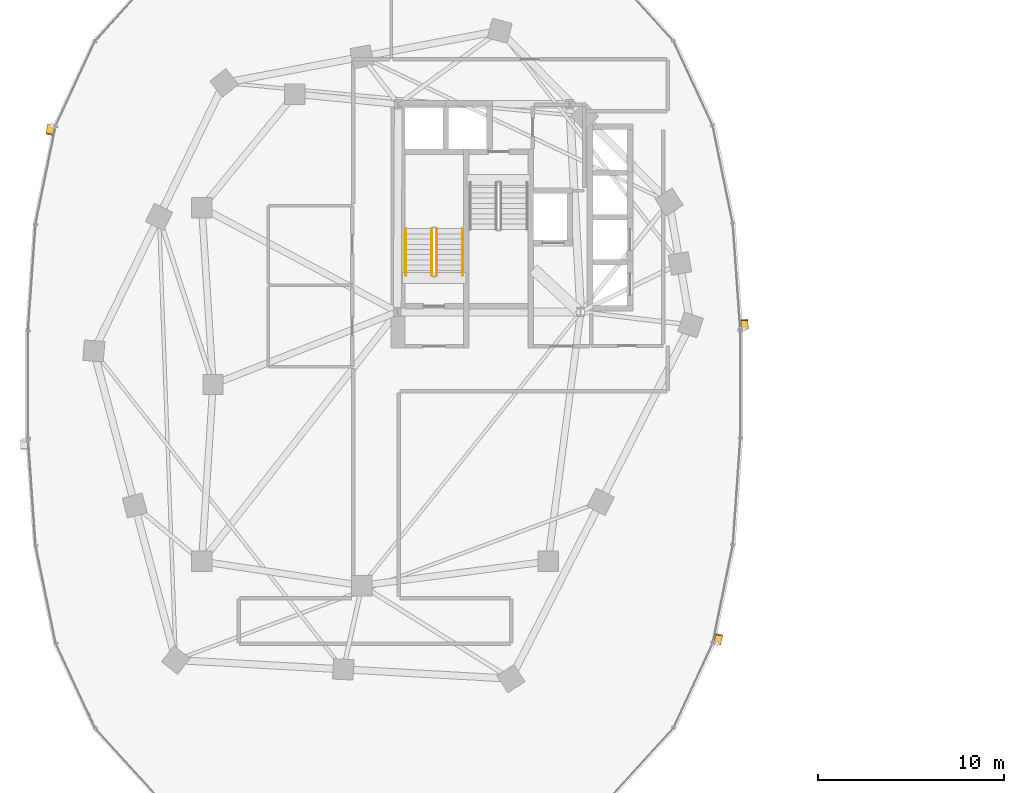
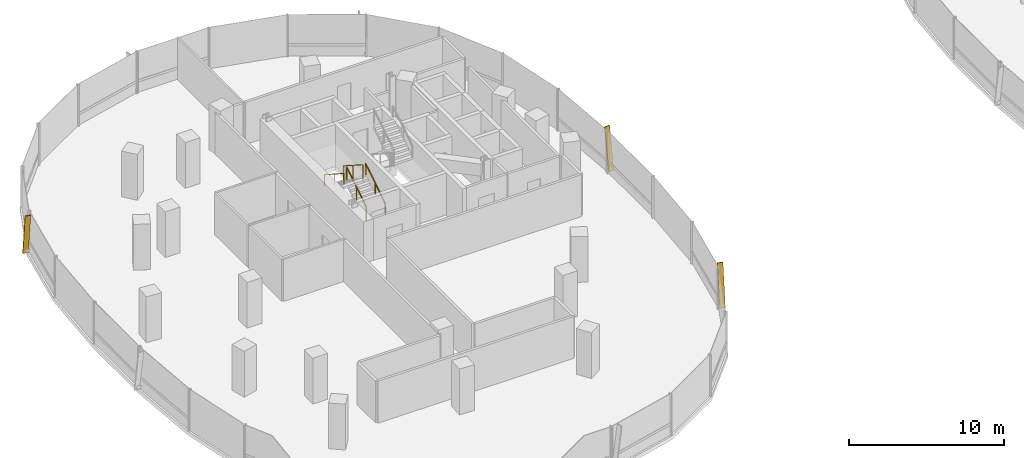
# One storey, part 17 of 20: 4 railings, 3 shading devices.
"""IFC4 building model written with IfcOpenShell, lengths in metres."""

from ifc_helpers import new_model, si_unit, direction, frame, origin, origin_2d, place, context, subcontext, project, spatial, rectangle, extrude, material, material_profile, profile_set, type_object, element, save


model = new_model("IFC4")

# Units and contexts
model_context = context("Model", 3, precision=1e-05, world=origin(), true_north=direction((0.0, 1.0)))
body_context = subcontext(model_context, "Body", "Model", "MODEL_VIEW")
ifc_project = project(units=[si_unit("LENGTHUNIT", "METRE"), si_unit("AREAUNIT", "SQUARE_METRE"), si_unit("VOLUMEUNIT", "CUBIC_METRE"), si_unit("PLANEANGLEUNIT", "RADIAN"), si_unit("MASSUNIT", "GRAM", prefix="KILO"), si_unit("THERMODYNAMICTEMPERATUREUNIT", "KELVIN"), si_unit("POWERUNIT", "WATT")], contexts=[model_context])

# Site, building, storey
site_placement = place(None, origin())
site = spatial("IfcSite", under=ifc_project, at=site_placement, CompositionType="ELEMENT")
building_placement = place(site_placement, origin())
building = spatial("IfcBuilding", under=site, at=building_placement, Name="Cundina Bronze Exchange", CompositionType="ELEMENT")
storey_placement = place(building_placement, frame((0.0, 0.0, 125.0)))
storey = spatial("IfcBuildingStorey", under=building, at=storey_placement, Name="L32", CompositionType="ELEMENT", Elevation=125.0)

# Railings
ifc_material_1 = material(Name="Steel ASTM A36 Painted", Category="steel")
railing_type_1 = type_object("IfcRailingType", Name="RLG-HND-900", PredefinedType="HANDRAIL", material=ifc_material_1)
railing_1_placement = place(storey_placement, frame((-27.7900390625, 5.85009765625, 0.179931640625)))
element("IfcRailing", 1, at=railing_1_placement, inside=storey, type_object=railing_type_1, Name="L32 ST-W1 stair handrail 1", PredefinedType="HANDRAIL", context=body_context, shape_type="SweptSolid", body=[
    extrude(rectangle(XDim=0.048095703125, YDim=0.048095703125, at=origin_2d()), frame((0.0, 0.0, 0.8759765625), z_axis=(0.0, 0.841162588446, 0.540782303519), x_axis=(-1.0, 0.0, 0.0)), (0.0, 0.0, 1.0), 2.995849609375),
    extrude(rectangle(XDim=0.0419921875, YDim=0.0419921875, at=origin_2d()), origin(), (0.0, 0.0, 1.0), 0.851806640625),
    extrude(rectangle(XDim=0.0419921875, YDim=0.0419921875, at=origin_2d()), frame((0.0, 1.260009765625, 0.81005859375)), (0.0, 0.0, 1.0), 0.851806640625),
    extrude(rectangle(XDim=0.0419921875, YDim=0.0419921875, at=origin_2d()), frame((0.0, 2.52001953125, 1.6201171875)), (0.0, 0.0, 1.0), 0.851806640625),
])
railing_2_placement = place(storey_placement, frame((-30.85009765625, 8.3701171875, 1.97998046875)))
element("IfcRailing", 2, at=railing_2_placement, inside=storey, type_object=railing_type_1, Name="L32 ST-W1 stair handrail 2", PredefinedType="HANDRAIL", context=body_context, shape_type="SweptSolid", body=[
    extrude(rectangle(XDim=0.048095703125, YDim=0.048095703125, at=origin_2d()), frame((0.0, 0.0, 0.8759765625), z_axis=(0.0, -0.841162588446, 0.540782303519), x_axis=(1.0, 0.0, 0.0)), (0.0, 0.0, 1.0), 2.995849609375),
    extrude(rectangle(XDim=0.0419921875, YDim=0.0419921875, at=origin_2d()), origin(), (0.0, 0.0, 1.0), 0.851806640625),
    extrude(rectangle(XDim=0.0419921875, YDim=0.0419921875, at=origin_2d()), frame((0.0, -1.260009765625, 0.81005859375)), (0.0, 0.0, 1.0), 0.851806640625),
    extrude(rectangle(XDim=0.0419921875, YDim=0.0419921875, at=origin_2d()), frame((0.0, -2.52001953125, 1.6201171875)), (0.0, 0.0, 1.0), 0.851806640625),
])
railing_type_2 = type_object("IfcRailingType", Name="RLG-STG-1100", PredefinedType="GUARDRAIL", material=ifc_material_1)
railing_3_placement = place(storey_placement, frame((-29.18994140625, 5.85009765625, 0.179931640625)))
element("IfcRailing", 3, at=railing_3_placement, inside=storey, type_object=railing_type_2, Name="L32 ST-W1 stair guard 1", PredefinedType="GUARDRAIL", context=body_context, shape_type="SweptSolid", body=[
    extrude(rectangle(XDim=0.048095703125, YDim=0.048095703125, at=origin_2d()), frame((0.0, 0.0, 1.076171875), z_axis=(0.0, 0.841162588446, 0.540782303519), x_axis=(-1.0, 0.0, 0.0)), (0.0, 0.0, 1.0), 2.995849609375),
    extrude(rectangle(XDim=0.0419921875, YDim=0.0419921875, at=origin_2d()), origin(), (0.0, 0.0, 1.0), 1.052001953125),
    extrude(rectangle(XDim=0.0419921875, YDim=0.0419921875, at=origin_2d()), frame((0.0, 1.260009765625, 0.81005859375)), (0.0, 0.0, 1.0), 1.052001953125),
    extrude(rectangle(XDim=0.0419921875, YDim=0.0419921875, at=origin_2d()), frame((0.0, 2.52001953125, 1.6201171875)), (0.0, 0.0, 1.0), 1.052001953125),
])
railing_4_placement = place(storey_placement, frame((-29.449951171875, 8.3701171875, 1.97998046875)))
element("IfcRailing", 4, at=railing_4_placement, inside=storey, type_object=railing_type_2, Name="L32 ST-W1 stair guard 3", PredefinedType="GUARDRAIL", context=body_context, shape_type="SweptSolid", body=[
    extrude(rectangle(XDim=0.048095703125, YDim=0.048095703125, at=origin_2d()), frame((0.0, 0.0, 1.076171875), z_axis=(0.0, -0.841162588446, 0.540782303519), x_axis=(1.0, 0.0, 0.0)), (0.0, 0.0, 1.0), 2.995849609375),
    extrude(rectangle(XDim=0.0419921875, YDim=0.0419921875, at=origin_2d()), origin(), (0.0, 0.0, 1.0), 1.052001953125),
    extrude(rectangle(XDim=0.0419921875, YDim=0.0419921875, at=origin_2d()), frame((0.0, -1.260009765625, 0.81005859375)), (0.0, 0.0, 1.0), 1.052001953125),
    extrude(rectangle(XDim=0.0419921875, YDim=0.0419921875, at=origin_2d()), frame((0.0, -2.52001953125, 1.6201171875)), (0.0, 0.0, 1.0), 1.052001953125),
])

# Shading devices
ifc_material_2 = material(Name="Anodised Bronze Aluminium 6063-T6", Category="aluminium")
ifc_material_profile = material_profile(ifc_material_2, rectangle(XDim=0.070068359375, YDim=0.3798828125, at=origin_2d()), Name="FIN70X380", Category="aluminium")
ifc_profile_set = profile_set([ifc_material_profile], Name="Anodised Bronze Aluminium 6063-T6")
shading_device_type = type_object("IfcShadingDeviceType", Name="SHD-FIN-BRZ380", PredefinedType="USERDEFINED", material=ifc_profile_set)
for number, where, z_axis, x_axis, name in (
    (5, (-12.6259765625, 2.993896484375, 0.02001953125), (-0.010224545828, 0.145292278041, 0.989335945271), (0.069450050635, -0.986895284755, 0.145651595925), "L32 Diagonal Bronze Solar Fin 1"),
    (6, (-49.89599609375, 13.911865234375, 0.02001953125), (-0.029413888538, -0.142698109128, 0.989329102378), (0.199728220342, 0.968958570224, 0.145698068578), "L32 Diagonal Bronze Solar Fin 5"),
    (7, (-14.10400390625, -13.911865234375, 0.02001953125), (0.029413888538, 0.142698109128, 0.989329102378), (-0.199728220342, -0.968958570224, 0.145698068578), "L32 Diagonal Bronze Solar Fin 5"),
):
    element("IfcShadingDevice", number, at=place(storey_placement, frame(where, z_axis=z_axis, x_axis=x_axis)), inside=storey, type_object=shading_device_type, Name=name, ObjectType="FIN", PredefinedType="USERDEFINED", context=body_context, shape_type="SweptSolid", body=[
        extrude(rectangle(XDim=0.070068359375, YDim=0.3798828125, at=origin_2d()), origin(), (0.0, 0.0, 1.0), 3.295166015625),
    ])

save(model, "model.ifc")
